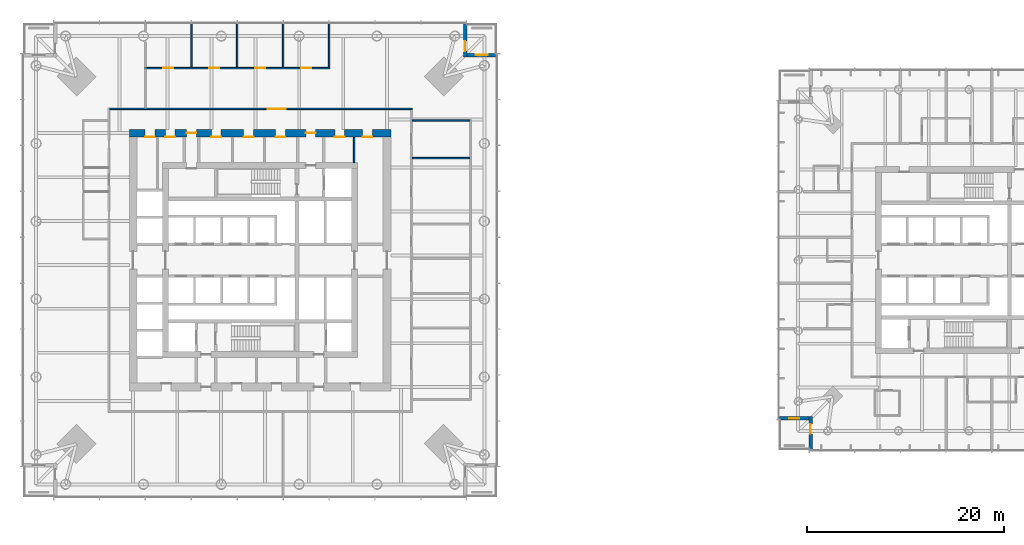
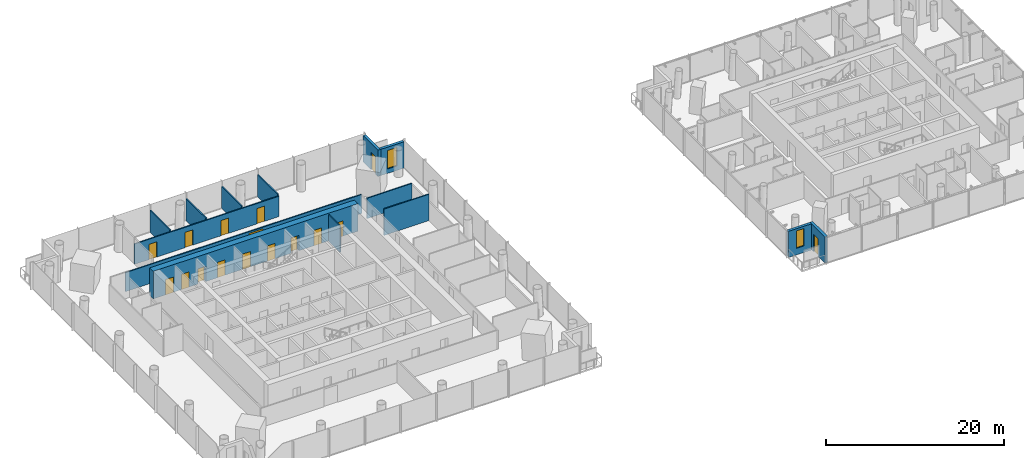
# One storey, part 13 of 21: 16 doors, 14 walls, 2 windows, 18 openings.
"""IFC4 building model written with IfcOpenShell, lengths in metres."""

from ifc_helpers import new_model, si_unit, direction, frame, frame_2d, origin, place, context, subcontext, project, spatial, rectangle, extrude, material, layer, layer_set, type_object, element, fill, save


model = new_model("IFC4")

# Units and contexts
model_context = context("Model", 3, precision=1e-05, world=origin(), true_north=direction((0.0, 1.0)))
body_context = subcontext(model_context, "Body", "Model", "MODEL_VIEW")
ifc_project = project(units=[si_unit("LENGTHUNIT", "METRE"), si_unit("AREAUNIT", "SQUARE_METRE"), si_unit("VOLUMEUNIT", "CUBIC_METRE"), si_unit("PLANEANGLEUNIT", "RADIAN"), si_unit("MASSUNIT", "GRAM", prefix="KILO")], contexts=[model_context])

# Site, building, storey
site_placement = place(None, origin())
site = spatial("IfcSite", under=ifc_project, at=site_placement, CompositionType="ELEMENT")
building_placement = place(site_placement, origin())
building = spatial("IfcBuilding", under=site, at=building_placement, Name="Ostroluk Exchange", CompositionType="ELEMENT")
storey_placement = place(building_placement, frame((0.0, 0.0, 59.0)))
storey = spatial("IfcBuildingStorey", under=building, at=storey_placement, Name="L14", CompositionType="ELEMENT", Elevation=59.0)

# Wall
ifc_material_1 = material(Name="Concrete blockwork", Category="masonry")
ifc_layer_1 = layer(ifc_material_1, 0.14990234375)
ifc_layer_set_1 = layer_set([ifc_layer_1], Name="Blockwork plant room wall 150")
wall_type_1 = type_object("IfcWallType", Name="Blockwork plant room wall 150", PredefinedType="SOLIDWALL", material=ifc_layer_set_1)
wall_1_placement = place(storey_placement, frame((54.550048828125, 55.89990234375, 0.0), z_axis=(0.0, 0.0, 1.0), x_axis=(0.0, 1.0, 0.0)))
element("IfcWall", 1, at=wall_1_placement, inside=storey, type_object=wall_type_1, Name="Core room wall", PredefinedType="SOLIDWALL", context=body_context, shape_type="SweptSolid", body=[
    extrude(rectangle(XDim=2.60009765625, YDim=0.14990234375, at=frame_2d((1.300048828125, 0.0))), origin(), (0.0, 0.0, 1.0), 3.6201171875),
])

# Wall, openings, doors
ifc_material_2 = material(Name="Concrete C50/60", Category="concrete")
ifc_layer_2 = layer(ifc_material_2, 0.800048828125)
ifc_layer_set_2 = layer_set([ifc_layer_2], Name="Core wall 800 C50/60")
wall_type_2 = type_object("IfcWallType", Name="Core wall 800 C50/60", PredefinedType="SHEAR", material=ifc_layer_set_2)
wall_2_placement = place(storey_placement, frame((31.699951171875, 58.89990234375, 0.0), z_axis=(0.0, 0.0, 1.0), x_axis=(1.0, 0.0, 0.0)))
wall_2 = element("IfcWall", 2, at=wall_2_placement, inside=storey, type_object=wall_type_2, Name="T1 core wall RN", PredefinedType="SHEAR", context=body_context, shape_type="SweptSolid", body=[
    extrude(rectangle(XDim=26.60009765625, YDim=0.800048828125, at=frame_2d((13.300048828125, 0.0))), origin(), (0.0, 0.0, 1.0), 3.800048828125),
])
opening_1_placement = place(wall_2_placement, frame((17.93994140625, 0.0, 0.0)))
opening_1 = element("IfcOpeningElement", 3, at=opening_1_placement, cuts=wall_2, Name="Opening FD60", PredefinedType="OPENING", context=body_context, shape_type="SweptSolid", body=[
    extrude(rectangle(XDim=1.0, YDim=2.10009765625, at=frame_2d((0.5, 1.050048828125))), frame((0.0, 0.409912109375, 0.0), z_axis=(0.0, -1.0, 0.0), x_axis=(1.0, 0.0, 0.0)), (0.0, 0.0, 1.0), 0.820068359375),
])
opening_2_placement = place(wall_2_placement, frame((5.824951171875, 0.0, 0.0)))
opening_2 = element("IfcOpeningElement", 4, at=opening_2_placement, cuts=wall_2, Name="Opening FD60", PredefinedType="OPENING", context=body_context, shape_type="SweptSolid", body=[
    extrude(rectangle(XDim=1.0, YDim=2.10009765625, at=frame_2d((0.5, 1.050048828125))), frame((0.0, 0.409912109375, 0.0), z_axis=(0.0, -1.0, 0.0), x_axis=(1.0, 0.0, 0.0)), (0.0, 0.0, 1.0), 0.820068359375),
])
opening_3_placement = place(wall_2_placement, frame((1.60693359375, 0.0, 0.0)))
opening_3 = element("IfcOpeningElement", 5, at=opening_3_placement, cuts=wall_2, Name="Opening FD60", PredefinedType="OPENING", context=body_context, shape_type="SweptSolid", body=[
    extrude(rectangle(XDim=1.0, YDim=2.10009765625, at=frame_2d((0.5, 1.050048828125))), frame((0.0, 0.409912109375, 0.0), z_axis=(0.0, -1.0, 0.0), x_axis=(1.0, 0.0, 0.0)), (0.0, 0.0, 1.0), 0.820068359375),
])
opening_4_placement = place(wall_2_placement, frame((3.666015625, 0.0, 0.0)))
opening_4 = element("IfcOpeningElement", 6, at=opening_4_placement, cuts=wall_2, Name="Opening FD60", PredefinedType="OPENING", context=body_context, shape_type="SweptSolid", body=[
    extrude(rectangle(XDim=1.0, YDim=2.10009765625, at=frame_2d((0.5, 1.050048828125))), frame((0.0, 0.409912109375, 0.0), z_axis=(0.0, -1.0, 0.0), x_axis=(1.0, 0.0, 0.0)), (0.0, 0.0, 1.0), 0.820068359375),
])
opening_5_placement = place(wall_2_placement, frame((8.341796875, 0.0, 0.0)))
opening_5 = element("IfcOpeningElement", 7, at=opening_5_placement, cuts=wall_2, Name="Opening FD60", PredefinedType="OPENING", context=body_context, shape_type="SweptSolid", body=[
    extrude(rectangle(XDim=1.0, YDim=2.10009765625, at=frame_2d((0.5, 1.050048828125))), frame((0.0, 0.409912109375, 0.0), z_axis=(0.0, -1.0, 0.0), x_axis=(1.0, 0.0, 0.0)), (0.0, 0.0, 1.0), 0.820068359375),
])
opening_6_placement = place(wall_2_placement, frame((11.62646484375, 0.0, 0.0)))
opening_6 = element("IfcOpeningElement", 8, at=opening_6_placement, cuts=wall_2, Name="Opening FD60", PredefinedType="OPENING", context=body_context, shape_type="SweptSolid", body=[
    extrude(rectangle(XDim=1.0, YDim=2.10009765625, at=frame_2d((0.5, 1.050048828125))), frame((0.0, 0.409912109375, 0.0), z_axis=(0.0, -1.0, 0.0), x_axis=(1.0, 0.0, 0.0)), (0.0, 0.0, 1.0), 0.820068359375),
])
opening_7_placement = place(wall_2_placement, frame((14.862060546875, 0.0, 0.0)))
opening_7 = element("IfcOpeningElement", 9, at=opening_7_placement, cuts=wall_2, Name="Opening FD60", PredefinedType="OPENING", context=body_context, shape_type="SweptSolid", body=[
    extrude(rectangle(XDim=1.0, YDim=2.10009765625, at=frame_2d((0.5, 1.050048828125))), frame((0.0, 0.409912109375, 0.0), z_axis=(0.0, -1.0, 0.0), x_axis=(1.0, 0.0, 0.0)), (0.0, 0.0, 1.0), 0.820068359375),
])
opening_8_placement = place(wall_2_placement, frame((20.875, 0.0, 0.0)))
opening_8 = element("IfcOpeningElement", 10, at=opening_8_placement, cuts=wall_2, Name="Opening FD60", PredefinedType="OPENING", context=body_context, shape_type="SweptSolid", body=[
    extrude(rectangle(XDim=1.0, YDim=2.10009765625, at=frame_2d((0.5, 1.050048828125))), frame((0.0, 0.409912109375, 0.0), z_axis=(0.0, -1.0, 0.0), x_axis=(1.0, 0.0, 0.0)), (0.0, 0.0, 1.0), 0.820068359375),
])
opening_9_placement = place(wall_2_placement, frame((23.699951171875, 0.0, 0.0)))
opening_9 = element("IfcOpeningElement", 11, at=opening_9_placement, cuts=wall_2, Name="Opening FD60", PredefinedType="OPENING", context=body_context, shape_type="SweptSolid", body=[
    extrude(rectangle(XDim=1.0, YDim=2.10009765625, at=frame_2d((0.5, 1.050048828125))), frame((0.0, 0.409912109375, 0.0), z_axis=(0.0, -1.0, 0.0), x_axis=(1.0, 0.0, 0.0)), (0.0, 0.0, 1.0), 0.820068359375),
])
ifc_material_3 = material(Name="Steel", Category="steel")
door_type_1 = type_object("IfcDoorType", Name="Fire door EI 60 1000 x 2100", OperationType="SINGLE_SWING_LEFT", PredefinedType="DOOR", material=ifc_material_3)
door_1_placement = place(opening_1_placement, origin())
door_1 = element("IfcDoor", 12, at=door_1_placement, inside=storey, type_object=door_type_1, Name="Firefighting lobby door", OperationType="SINGLE_SWING_RIGHT", OverallHeight=2.10009765625, OverallWidth=1.0, PredefinedType="DOOR", context=body_context, shape_type="SweptSolid", body=[
    extrude(rectangle(XDim=1.0, YDim=2.10009765625, at=frame_2d((0.5, 1.050048828125))), frame((0.0, 0.02490234375, 0.0), z_axis=(0.0, -1.0, 0.0), x_axis=(1.0, 0.0, 0.0)), (0.0, 0.0, 1.0), 0.050048828125),
])
fill(opening_1, door_1)
door_2_placement = place(opening_2_placement, origin())
door_2 = element("IfcDoor", 13, at=door_2_placement, inside=storey, type_object=door_type_1, Name="Core corridor door", OperationType="SINGLE_SWING_LEFT", OverallHeight=2.10009765625, OverallWidth=1.0, PredefinedType="DOOR", context=body_context, shape_type="SweptSolid", body=[
    extrude(rectangle(XDim=1.0, YDim=2.10009765625, at=frame_2d((0.5, 1.050048828125))), frame((0.0, 0.02490234375, 0.0), z_axis=(0.0, -1.0, 0.0), x_axis=(1.0, 0.0, 0.0)), (0.0, 0.0, 1.0), 0.050048828125),
])
fill(opening_2, door_2)
door_3_placement = place(opening_3_placement, origin())
door_3 = element("IfcDoor", 14, at=door_3_placement, inside=storey, type_object=door_type_1, Name="Tenant IT room door", OperationType="SINGLE_SWING_LEFT", OverallHeight=2.10009765625, OverallWidth=1.0, PredefinedType="DOOR", context=body_context, shape_type="SweptSolid", body=[
    extrude(rectangle(XDim=1.0, YDim=2.10009765625, at=frame_2d((0.5, 1.050048828125))), frame((0.0, -0.33984375, 0.0), z_axis=(0.0, -1.0, 0.0), x_axis=(1.0, 0.0, 0.0)), (0.0, 0.0, 1.0), 0.050048828125),
])
fill(opening_3, door_3)
door_4_placement = place(opening_4_placement, origin())
door_4 = element("IfcDoor", 15, at=door_4_placement, inside=storey, type_object=door_type_1, Name="First aid room door", OperationType="SINGLE_SWING_LEFT", OverallHeight=2.10009765625, OverallWidth=1.0, PredefinedType="DOOR", context=body_context, shape_type="SweptSolid", body=[
    extrude(rectangle(XDim=1.0, YDim=2.10009765625, at=frame_2d((0.5, 1.050048828125))), frame((0.0, -0.33984375, 0.0), z_axis=(0.0, -1.0, 0.0), x_axis=(1.0, 0.0, 0.0)), (0.0, 0.0, 1.0), 0.050048828125),
])
fill(opening_4, door_4)
door_5_placement = place(opening_5_placement, origin())
door_5 = element("IfcDoor", 16, at=door_5_placement, inside=storey, type_object=door_type_1, Name="Print and post room door", OperationType="SINGLE_SWING_LEFT", OverallHeight=2.10009765625, OverallWidth=1.0, PredefinedType="DOOR", context=body_context, shape_type="SweptSolid", body=[
    extrude(rectangle(XDim=1.0, YDim=2.10009765625, at=frame_2d((0.5, 1.050048828125))), frame((0.0, -0.33984375, 0.0), z_axis=(0.0, -1.0, 0.0), x_axis=(1.0, 0.0, 0.0)), (0.0, 0.0, 1.0), 0.050048828125),
])
fill(opening_5, door_5)
door_6_placement = place(opening_6_placement, origin())
door_6 = element("IfcDoor", 17, at=door_6_placement, inside=storey, type_object=door_type_1, Name="Archive door", OperationType="SINGLE_SWING_LEFT", OverallHeight=2.10009765625, OverallWidth=1.0, PredefinedType="DOOR", context=body_context, shape_type="SweptSolid", body=[
    extrude(rectangle(XDim=1.0, YDim=2.10009765625, at=frame_2d((0.5, 1.050048828125))), frame((0.0, -0.33984375, 0.0), z_axis=(0.0, -1.0, 0.0), x_axis=(1.0, 0.0, 0.0)), (0.0, 0.0, 1.0), 0.050048828125),
])
fill(opening_6, door_6)
door_7_placement = place(opening_7_placement, origin())
door_7 = element("IfcDoor", 18, at=door_7_placement, inside=storey, type_object=door_type_1, Name="Tenant IT room door", OperationType="SINGLE_SWING_RIGHT", OverallHeight=2.10009765625, OverallWidth=1.0, PredefinedType="DOOR", context=body_context, shape_type="SweptSolid", body=[
    extrude(rectangle(XDim=1.0, YDim=2.10009765625, at=frame_2d((0.5, 1.050048828125))), frame((0.0, -0.33984375, 0.0), z_axis=(0.0, -1.0, 0.0), x_axis=(1.0, 0.0, 0.0)), (0.0, 0.0, 1.0), 0.050048828125),
])
fill(opening_7, door_7)
door_8_placement = place(opening_8_placement, origin())
door_8 = element("IfcDoor", 19, at=door_8_placement, inside=storey, type_object=door_type_1, Name="First aid room door", OperationType="SINGLE_SWING_RIGHT", OverallHeight=2.10009765625, OverallWidth=1.0, PredefinedType="DOOR", context=body_context, shape_type="SweptSolid", body=[
    extrude(rectangle(XDim=1.0, YDim=2.10009765625, at=frame_2d((0.5, 1.050048828125))), frame((0.0, -0.33984375, 0.0), z_axis=(0.0, -1.0, 0.0), x_axis=(1.0, 0.0, 0.0)), (0.0, 0.0, 1.0), 0.050048828125),
])
fill(opening_8, door_8)
door_9_placement = place(opening_9_placement, origin())
door_9 = element("IfcDoor", 20, at=door_9_placement, inside=storey, type_object=door_type_1, Name="Tea point door", OperationType="SINGLE_SWING_RIGHT", OverallHeight=2.10009765625, OverallWidth=1.0, PredefinedType="DOOR", context=body_context, shape_type="SweptSolid", body=[
    extrude(rectangle(XDim=1.0, YDim=2.10009765625, at=frame_2d((0.5, 1.050048828125))), frame((0.0, -0.33984375, 0.0), z_axis=(0.0, -1.0, 0.0), x_axis=(1.0, 0.0, 0.0)), (0.0, 0.0, 1.0), 0.050048828125),
])
fill(opening_9, door_9)

# Wall, opening, door
ifc_material_4 = material(Name="Limestone", Category="masonry")
ifc_layer_3 = layer(ifc_material_4, 0.35009765625)
ifc_layer_set_3 = layer_set([ifc_layer_3], Name="Limestone facade wall 350")
wall_type_3 = type_object("IfcWallType", Name="Limestone facade wall 350", PredefinedType="SOLIDWALL", material=ifc_layer_set_3)
wall_3_placement = place(storey_placement, frame((65.824951171875, 70.0, 0.0), z_axis=(0.0, 0.0, 1.0), x_axis=(0.0, -1.0, 0.0)))
wall_3 = element("IfcWall", 21, at=wall_3_placement, inside=storey, type_object=wall_type_3, Name="Office tower NE corner wall L14 a", PredefinedType="SOLIDWALL", context=body_context, shape_type="SweptSolid", body=[
    extrude(rectangle(XDim=3.35009765625, YDim=0.35009765625, at=frame_2d((1.675048828125, 0.0))), origin(), (0.0, 0.0, 1.0), 3.6201171875),
])
opening_10_placement = place(wall_3_placement, frame((1.75, 0.0, 0.0)))
opening_10 = element("IfcOpeningElement", 22, at=opening_10_placement, cuts=wall_3, Name="Opening D-B1", PredefinedType="OPENING", context=body_context, shape_type="SweptSolid", body=[
    extrude(rectangle(XDim=1.0, YDim=2.39990234375, at=frame_2d((0.5, 1.199951171875))), frame((0.0, 0.18505859375, 0.0), z_axis=(0.0, -1.0, 0.0), x_axis=(1.0, 0.0, 0.0)), (0.0, 0.0, 1.0), 0.3701171875),
])
ifc_material_5 = material(Name="Bronze framed glazed door", Category="aluminium")
door_type_2 = type_object("IfcDoorType", Name="Balcony door 1000 x 2400", OperationType="SINGLE_SWING_LEFT", PredefinedType="DOOR", material=ifc_material_5)
door_10_placement = place(opening_10_placement, origin())
door_10 = element("IfcDoor", 23, at=door_10_placement, inside=storey, type_object=door_type_2, Name="Office tower NE balcony door L14", OperationType="SINGLE_SWING_RIGHT", OverallHeight=2.39990234375, OverallWidth=1.0, PredefinedType="DOOR", context=body_context, shape_type="SweptSolid", body=[
    extrude(rectangle(XDim=1.0, YDim=2.39990234375, at=frame_2d((0.5, 1.199951171875))), frame((0.0, 0.02490234375, 0.0), z_axis=(0.0, -1.0, 0.0), x_axis=(1.0, 0.0, 0.0)), (0.0, 0.0, 1.0), 0.050048828125),
])
fill(opening_10, door_10)

# Wall, opening, window
wall_4_placement = place(storey_placement, frame((66.0, 66.824951171875, 0.0), z_axis=(0.0, 0.0, 1.0), x_axis=(1.0, 0.0, 0.0)))
wall_4 = element("IfcWall", 24, at=wall_4_placement, inside=storey, type_object=wall_type_3, Name="Office tower NE corner wall L14 b", PredefinedType="SOLIDWALL", context=body_context, shape_type="SweptSolid", body=[
    extrude(rectangle(XDim=3.0, YDim=0.35009765625, at=frame_2d((1.5, 0.0))), origin(), (0.0, 0.0, 1.0), 3.6201171875),
])
opening_11_placement = place(wall_4_placement, frame((0.89990234375, 0.0, 0.60009765625)))
opening_11 = element("IfcOpeningElement", 25, at=opening_11_placement, cuts=wall_4, Name="Opening WN-L1", PredefinedType="OPENING", context=body_context, shape_type="SweptSolid", body=[
    extrude(rectangle(XDim=1.199951171875, YDim=2.550048828125, at=frame_2d((0.60009765625, 1.27490234375))), frame((0.0, 0.18505859375, 0.0), z_axis=(0.0, -1.0, 0.0), x_axis=(1.0, 0.0, 0.0)), (0.0, 0.0, 1.0), 0.3701171875),
])
ifc_material_6 = material(Name="Laminated clear glass", Category="glass")
window_type_1 = type_object("IfcWindowType", Name="Lancet window 1200 x 2550", PartitioningType="SINGLE_PANEL", PredefinedType="WINDOW", material=ifc_material_6)
window_1_placement = place(opening_11_placement, origin())
window_1 = element("IfcWindow", 26, at=window_1_placement, inside=storey, type_object=window_type_1, Name="Office tower NE lancet window L14", OverallHeight=2.550048828125, OverallWidth=1.199951171875, PartitioningType="SINGLE_PANEL", PredefinedType="WINDOW", context=body_context, shape_type="SweptSolid", body=[
    extrude(rectangle(XDim=1.199951171875, YDim=2.550048828125, at=frame_2d((0.60009765625, 1.27490234375))), frame((0.0, 0.030029296875, 0.0), z_axis=(0.0, -1.0, 0.0), x_axis=(1.0, 0.0, 0.0)), (0.0, 0.0, 1.0), 0.06005859375),
])
fill(opening_11, window_1)

# Wall, opening, door
wall_5_placement = place(storey_placement, frame((100.925048828125, 26.75, 0.0), z_axis=(0.0, 0.0, 1.0), x_axis=(0.0, 1.0, 0.0)))
wall_5 = element("IfcWall", 27, at=wall_5_placement, inside=storey, type_object=wall_type_3, Name="Hotel tower SW corner wall L14 a", PredefinedType="SOLIDWALL", context=body_context, shape_type="SweptSolid", body=[
    extrude(rectangle(XDim=3.35009765625, YDim=0.35009765625, at=frame_2d((1.675048828125, 0.0))), origin(), (0.0, 0.0, 1.0), 3.60009765625),
])
opening_12_placement = place(wall_5_placement, frame((1.60009765625, 0.0, 0.0)))
opening_12 = element("IfcOpeningElement", 28, at=opening_12_placement, cuts=wall_5, Name="Opening D-B1", PredefinedType="OPENING", context=body_context, shape_type="SweptSolid", body=[
    extrude(rectangle(XDim=1.0, YDim=2.39990234375, at=frame_2d((0.5, 1.199951171875))), frame((0.0, 0.18505859375, 0.0), z_axis=(0.0, -1.0, 0.0), x_axis=(1.0, 0.0, 0.0)), (0.0, 0.0, 1.0), 0.3701171875),
])
door_11_placement = place(opening_12_placement, origin())
door_11 = element("IfcDoor", 29, at=door_11_placement, inside=storey, type_object=door_type_2, Name="Hotel tower SW balcony door L14", OperationType="SINGLE_SWING_RIGHT", OverallHeight=2.39990234375, OverallWidth=1.0, PredefinedType="DOOR", context=body_context, shape_type="SweptSolid", body=[
    extrude(rectangle(XDim=1.0, YDim=2.39990234375, at=frame_2d((0.5, 1.199951171875))), frame((0.0, 0.02490234375, 0.0), z_axis=(0.0, -1.0, 0.0), x_axis=(1.0, 0.0, 0.0)), (0.0, 0.0, 1.0), 0.050048828125),
])
fill(opening_12, door_11)

# Wall, opening, window
wall_6_placement = place(storey_placement, frame((100.75, 29.925048828125, 0.0), z_axis=(0.0, 0.0, 1.0), x_axis=(-1.0, 0.0, 0.0)))
wall_6 = element("IfcWall", 30, at=wall_6_placement, inside=storey, type_object=wall_type_3, Name="Hotel tower SW corner wall L14 b", PredefinedType="SOLIDWALL", context=body_context, shape_type="SweptSolid", body=[
    extrude(rectangle(XDim=3.0, YDim=0.35009765625, at=frame_2d((1.5, 0.0))), origin(), (0.0, 0.0, 1.0), 3.60009765625),
])
opening_13_placement = place(wall_6_placement, frame((1.0, 0.0, 0.89990234375)))
opening_13 = element("IfcOpeningElement", 31, at=opening_13_placement, cuts=wall_6, Name="Opening WN-L3", PredefinedType="OPENING", context=body_context, shape_type="SweptSolid", body=[
    extrude(rectangle(XDim=1.0, YDim=2.39990234375, at=frame_2d((0.5, 1.199951171875))), frame((0.0, 0.18505859375, 0.0), z_axis=(0.0, -1.0, 0.0), x_axis=(1.0, 0.0, 0.0)), (0.0, 0.0, 1.0), 0.3701171875),
])
ifc_material_7 = material(Name="Laminated clear glass", Category="glass")
window_type_2 = type_object("IfcWindowType", Name="Hotel lancet window 1000 x 2400", PartitioningType="SINGLE_PANEL", PredefinedType="WINDOW", material=ifc_material_7)
window_2_placement = place(opening_13_placement, origin())
window_2 = element("IfcWindow", 32, at=window_2_placement, inside=storey, type_object=window_type_2, Name="Hotel tower SW lancet window L14", OverallHeight=2.39990234375, OverallWidth=1.0, PartitioningType="SINGLE_PANEL", PredefinedType="WINDOW", context=body_context, shape_type="SweptSolid", body=[
    extrude(rectangle(XDim=1.0, YDim=2.39990234375, at=frame_2d((0.5, 1.199951171875))), frame((0.0, 0.030029296875, 0.0), z_axis=(0.0, -1.0, 0.0), x_axis=(1.0, 0.0, 0.0)), (0.0, 0.0, 1.0), 0.06005859375),
])
fill(opening_13, window_2)

# Walls
ifc_material_8 = material(Name="Gypsum plasterboard partition", Category="gypsum")
ifc_layer_4 = layer(ifc_material_8, 0.14990234375)
ifc_layer_set_4 = layer_set([ifc_layer_4], Name="Plasterboard partition 150")
wall_type_4 = type_object("IfcWallType", Name="Plasterboard partition 150", PredefinedType="PARTITIONING", material=ifc_layer_set_4)
wall_7_placement = place(storey_placement, frame((60.449951171875, 56.37548828125, 0.0), z_axis=(0.0, 0.0, 1.0), x_axis=(1.0, 0.0, 0.0)))
element("IfcWall", 33, at=wall_7_placement, inside=storey, type_object=wall_type_4, Name="Partition", PredefinedType="PARTITIONING", context=body_context, shape_type="SweptSolid", body=[
    extrude(rectangle(XDim=5.85009765625, YDim=0.14990234375, at=frame_2d((2.925048828125, 0.0))), origin(), (0.0, 0.0, 1.0), 3.6201171875),
])
wall_8_placement = place(storey_placement, frame((60.449951171875, 60.175048828125, 0.0), z_axis=(0.0, 0.0, 1.0), x_axis=(1.0, 0.0, 0.0)))
element("IfcWall", 34, at=wall_8_placement, inside=storey, type_object=wall_type_4, Name="Partition", PredefinedType="PARTITIONING", context=body_context, shape_type="SweptSolid", body=[
    extrude(rectangle(XDim=5.85009765625, YDim=0.14990234375, at=frame_2d((2.925048828125, 0.0))), origin(), (0.0, 0.0, 1.0), 2.805908203125),
])

# Wall, openings, doors
wall_9_placement = place(storey_placement, frame((52.074951171875, 65.5, 0.0), z_axis=(0.0, 0.0, 1.0), x_axis=(-1.0, 0.0, 0.0)))
wall_9 = element("IfcWall", 35, at=wall_9_placement, inside=storey, type_object=wall_type_4, Name="Partition", PredefinedType="PARTITIONING", context=body_context, shape_type="SweptSolid", body=[
    extrude(rectangle(XDim=18.816650390625, YDim=0.14990234375, at=frame_2d((9.408203125, 0.0))), origin(), (0.0, 0.0, 1.0), 2.805908203125),
])
opening_14_placement = place(wall_9_placement, frame((1.908447265625, 0.0, 0.0)))
opening_14 = element("IfcOpeningElement", 36, at=opening_14_placement, cuts=wall_9, Name="Opening D-03", PredefinedType="OPENING", context=body_context, shape_type="SweptSolid", body=[
    extrude(rectangle(XDim=1.0, YDim=2.10009765625, at=frame_2d((0.5, 1.050048828125))), frame((0.0, 0.0849609375, 0.0), z_axis=(0.0, -1.0, 0.0), x_axis=(1.0, 0.0, 0.0)), (0.0, 0.0, 1.0), 0.169921875),
])
opening_15_placement = place(wall_9_placement, frame((6.574951171875, 0.0, 0.0)))
opening_15 = element("IfcOpeningElement", 37, at=opening_15_placement, cuts=wall_9, Name="Opening D-03", PredefinedType="OPENING", context=body_context, shape_type="SweptSolid", body=[
    extrude(rectangle(XDim=1.0, YDim=2.10009765625, at=frame_2d((0.5, 1.050048828125))), frame((0.0, 0.0849609375, 0.0), z_axis=(0.0, -1.0, 0.0), x_axis=(1.0, 0.0, 0.0)), (0.0, 0.0, 1.0), 0.169921875),
])
opening_16_placement = place(wall_9_placement, frame((11.24169921875, 0.0, 0.0)))
opening_16 = element("IfcOpeningElement", 38, at=opening_16_placement, cuts=wall_9, Name="Opening D-03", PredefinedType="OPENING", context=body_context, shape_type="SweptSolid", body=[
    extrude(rectangle(XDim=1.0, YDim=2.10009765625, at=frame_2d((0.5, 1.050048828125))), frame((0.0, 0.0849609375, 0.0), z_axis=(0.0, -1.0, 0.0), x_axis=(1.0, 0.0, 0.0)), (0.0, 0.0, 1.0), 0.169921875),
])
opening_17_placement = place(wall_9_placement, frame((15.908447265625, 0.0, 0.0)))
opening_17 = element("IfcOpeningElement", 39, at=opening_17_placement, cuts=wall_9, Name="Opening D-03", PredefinedType="OPENING", context=body_context, shape_type="SweptSolid", body=[
    extrude(rectangle(XDim=1.0, YDim=2.10009765625, at=frame_2d((0.5, 1.050048828125))), frame((0.0, 0.0849609375, 0.0), z_axis=(0.0, -1.0, 0.0), x_axis=(1.0, 0.0, 0.0)), (0.0, 0.0, 1.0), 0.169921875),
])
ifc_material_9 = material(Name="Timber", Category="wood")
door_type_3 = type_object("IfcDoorType", Name="Internal door 1000 x 2100", OperationType="SINGLE_SWING_LEFT", PredefinedType="DOOR", material=ifc_material_9)
door_12_placement = place(opening_14_placement, origin())
door_12 = element("IfcDoor", 40, at=door_12_placement, inside=storey, type_object=door_type_3, Name="Office door", OperationType="SINGLE_SWING_LEFT", OverallHeight=2.10009765625, OverallWidth=1.0, PredefinedType="DOOR", context=body_context, shape_type="SweptSolid", body=[
    extrude(rectangle(XDim=1.0, YDim=2.10009765625, at=frame_2d((0.5, 1.050048828125))), frame((0.0, 0.02490234375, 0.0), z_axis=(0.0, -1.0, 0.0), x_axis=(1.0, 0.0, 0.0)), (0.0, 0.0, 1.0), 0.050048828125),
])
fill(opening_14, door_12)
door_13_placement = place(opening_15_placement, origin())
door_13 = element("IfcDoor", 41, at=door_13_placement, inside=storey, type_object=door_type_3, Name="Office door", OperationType="SINGLE_SWING_LEFT", OverallHeight=2.10009765625, OverallWidth=1.0, PredefinedType="DOOR", context=body_context, shape_type="SweptSolid", body=[
    extrude(rectangle(XDim=1.0, YDim=2.10009765625, at=frame_2d((0.5, 1.050048828125))), frame((0.0, 0.02490234375, 0.0), z_axis=(0.0, -1.0, 0.0), x_axis=(1.0, 0.0, 0.0)), (0.0, 0.0, 1.0), 0.050048828125),
])
fill(opening_15, door_13)
door_14_placement = place(opening_16_placement, origin())
door_14 = element("IfcDoor", 42, at=door_14_placement, inside=storey, type_object=door_type_3, Name="Office door", OperationType="SINGLE_SWING_RIGHT", OverallHeight=2.10009765625, OverallWidth=1.0, PredefinedType="DOOR", context=body_context, shape_type="SweptSolid", body=[
    extrude(rectangle(XDim=1.0, YDim=2.10009765625, at=frame_2d((0.5, 1.050048828125))), frame((0.0, 0.02490234375, 0.0), z_axis=(0.0, -1.0, 0.0), x_axis=(1.0, 0.0, 0.0)), (0.0, 0.0, 1.0), 0.050048828125),
])
fill(opening_16, door_14)
door_15_placement = place(opening_17_placement, origin())
door_15 = element("IfcDoor", 43, at=door_15_placement, inside=storey, type_object=door_type_3, Name="Office door", OperationType="SINGLE_SWING_RIGHT", OverallHeight=2.10009765625, OverallWidth=1.0, PredefinedType="DOOR", context=body_context, shape_type="SweptSolid", body=[
    extrude(rectangle(XDim=1.0, YDim=2.10009765625, at=frame_2d((0.5, 1.050048828125))), frame((0.0, 0.02490234375, 0.0), z_axis=(0.0, -1.0, 0.0), x_axis=(1.0, 0.0, 0.0)), (0.0, 0.0, 1.0), 0.050048828125),
])
fill(opening_17, door_15)

# Walls
for number, where, z_axis, x_axis, name in (
    (44, (52.0, 65.574951171875, 0.0), (0.0, 0.0, 1.0), (0.0, 1.0, 0.0), "Partition"),
    (45, (47.333251953125, 65.574951171875, 0.0), (0.0, 0.0, 1.0), (0.0, 1.0, 0.0), "Partition"),
    (46, (42.666748046875, 65.574951171875, 0.0), (0.0, 0.0, 1.0), (0.0, 1.0, 0.0), "Partition"),
    (47, (38.0, 65.574951171875, 0.0), (0.0, 0.0, 1.0), (0.0, 1.0, 0.0), "Partition"),
):
    element("IfcWall", number, at=place(storey_placement, frame(where, z_axis=z_axis, x_axis=x_axis)), inside=storey, type_object=wall_type_4, Name=name, PredefinedType="PARTITIONING", context=body_context, shape_type="SweptSolid", body=[
        extrude(rectangle(XDim=4.465087890625, YDim=0.14990234375, at=frame_2d((2.232421875, 0.0))), origin(), (0.0, 0.0, 1.0), 3.02001953125),
    ])

# Wall, opening, door
wall_10_placement = place(storey_placement, frame((60.449951171875, 61.375, 0.0), z_axis=(0.0, 0.0, 1.0), x_axis=(-1.0, 0.0, 0.0)))
wall_10 = element("IfcWall", 48, at=wall_10_placement, inside=storey, type_object=wall_type_4, Name="Corridor wall", PredefinedType="PARTITIONING", context=body_context, shape_type="SweptSolid", body=[
    extrude(rectangle(XDim=30.75, YDim=0.14990234375, at=frame_2d((15.375, 0.0))), origin(), (0.0, 0.0, 1.0), 2.612060546875),
])
opening_18_placement = place(wall_10_placement, frame((12.8583984375, 0.0, 0.0)))
opening_18 = element("IfcOpeningElement", 49, at=opening_18_placement, cuts=wall_10, Name="Opening D-04", PredefinedType="OPENING", context=body_context, shape_type="SweptSolid", body=[
    extrude(rectangle(XDim=1.800048828125, YDim=2.39990234375, at=frame_2d((0.89990234375, 1.199951171875))), frame((0.0, 0.0849609375, 0.0), z_axis=(0.0, -1.0, 0.0), x_axis=(1.0, 0.0, 0.0)), (0.0, 0.0, 1.0), 0.169921875),
])
ifc_material_10 = material(Name="Timber", Category="wood")
door_type_4 = type_object("IfcDoorType", Name="Double door 1800 x 2400", OperationType="DOUBLE_DOOR_SINGLE_SWING", PredefinedType="DOOR", material=ifc_material_10)
door_16_placement = place(opening_18_placement, origin())
door_16 = element("IfcDoor", 50, at=door_16_placement, inside=storey, type_object=door_type_4, Name="Open plan office door", OperationType="DOUBLE_DOOR_SINGLE_SWING", OverallHeight=2.39990234375, OverallWidth=1.800048828125, PredefinedType="DOOR", context=body_context, shape_type="SweptSolid", body=[
    extrude(rectangle(XDim=1.800048828125, YDim=2.39990234375, at=frame_2d((0.89990234375, 1.199951171875))), frame((0.0, 0.02490234375, 0.0), z_axis=(0.0, -1.0, 0.0), x_axis=(1.0, 0.0, 0.0)), (0.0, 0.0, 1.0), 0.050048828125),
])
fill(opening_18, door_16)

save(model, "model.ifc")
